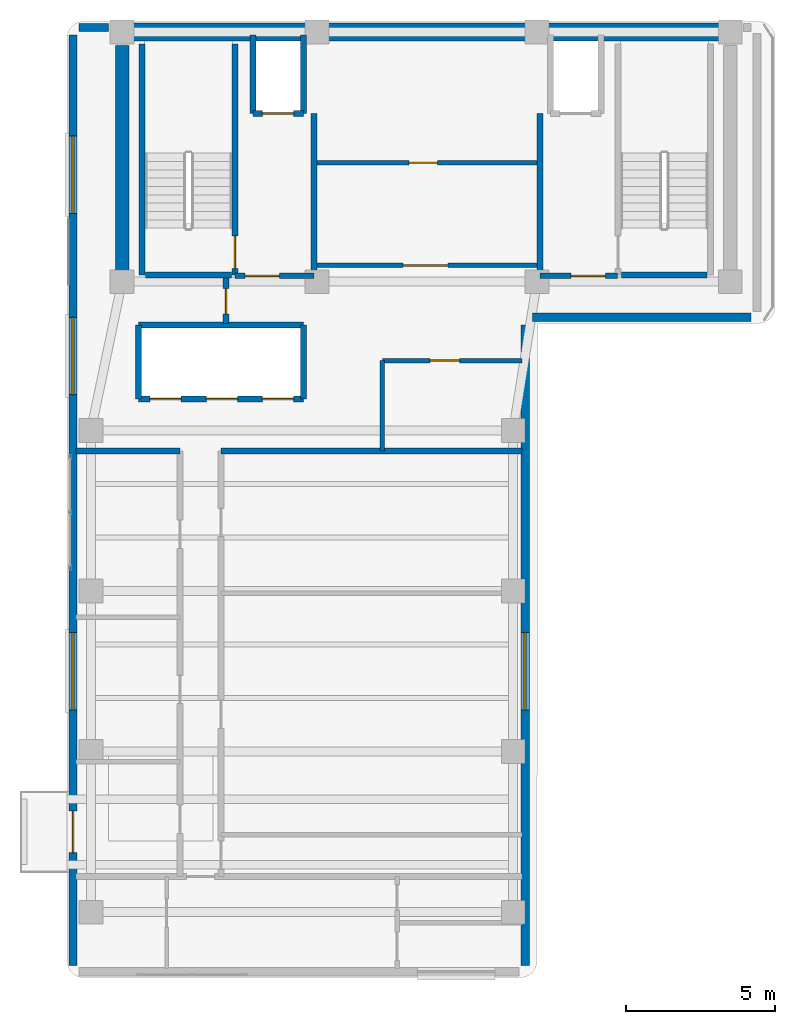
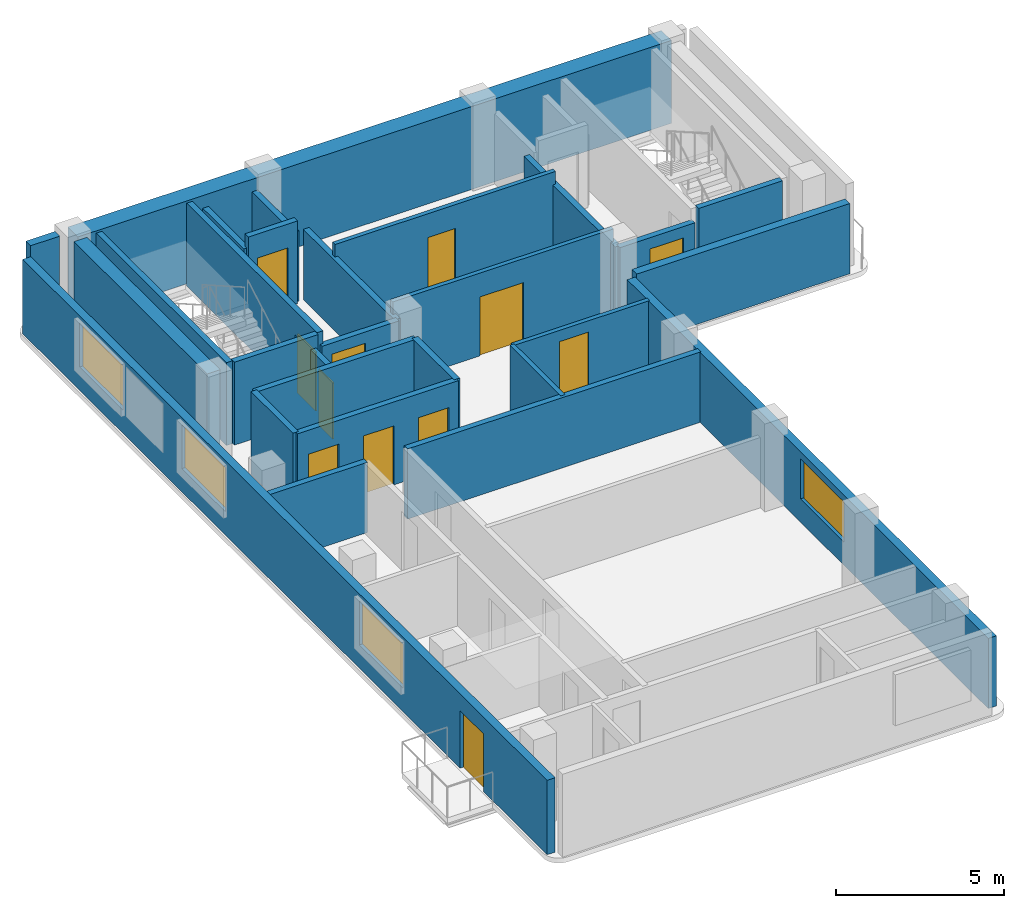
# One storey, part 8 of 11: 28 walls, 12 doors, 4 windows, 16 openings.
"""IFC4 building model written with IfcOpenShell, lengths in metres."""

from ifc_helpers import new_model, si_unit, direction, frame, frame_2d, origin, place, context, subcontext, project, spatial, rectangle, extrude, material, layer, layer_set, type_object, element, fill, save


model = new_model("IFC4")

# Units and contexts
model_context = context("Model", 3, precision=1e-05, world=origin(), true_north=direction((0.0, 1.0)))
body_context = subcontext(model_context, "Body", "Model", "MODEL_VIEW")
ifc_project = project(units=[si_unit("LENGTHUNIT", "METRE"), si_unit("AREAUNIT", "SQUARE_METRE"), si_unit("VOLUMEUNIT", "CUBIC_METRE"), si_unit("PLANEANGLEUNIT", "RADIAN"), si_unit("MASSUNIT", "GRAM", prefix="KILO")], contexts=[model_context])

# Site, building, storey
site_placement = place(None, origin())
site = spatial("IfcSite", under=ifc_project, at=site_placement, CompositionType="ELEMENT")
building_placement = place(site_placement, origin())
building = spatial("IfcBuilding", under=site, at=building_placement, Name="Kuzgunbayir Cultural Tower", CompositionType="ELEMENT")
storey_placement = place(building_placement, frame((0.0, 0.0, 244.0)))
storey = spatial("IfcBuildingStorey", under=building, at=storey_placement, Name="L72", CompositionType="ELEMENT", Elevation=244.0)

# Walls
ifc_material_1 = material(Name="Concrete C50/60", Category="concrete")
ifc_layer_1 = layer(ifc_material_1, 0.449951171875)
ifc_layer_set_1 = layer_set([ifc_layer_1], Name="Concrete C50/60")
wall_type_1 = type_object("IfcWallType", Name="WAL-CORE-450", PredefinedType="SHEAR", material=ifc_layer_set_1)
wall_1_placement = place(storey_placement, frame((6.449951171875, 33.800048828125, 0.0), z_axis=(0.0, 0.0, 1.0), x_axis=(0.0, 1.0, 0.0)))
element("IfcWall", 1, at=wall_1_placement, inside=storey, type_object=wall_type_1, Name="L72 T1 Core West Shear Wall", PredefinedType="SHEAR", context=body_context, shape_type="SweptSolid", body=[
    extrude(rectangle(XDim=7.949951171875, YDim=0.449951171875, at=frame_2d((3.97509765625, 0.0))), origin(), (0.0, 0.0, 1.0), 3.02001953125),
])
ifc_material_2 = material(Name="Concrete C60/75", Category="concrete")
ifc_layer_2 = layer(ifc_material_2, 0.60009765625)
ifc_layer_set_2 = layer_set([ifc_layer_2], Name="Concrete C60/75")
wall_type_2 = type_object("IfcWallType", Name="WAL-CORE-600", PredefinedType="SHEAR", material=ifc_layer_set_2)
wall_2_placement = place(storey_placement, frame((6.449951171875, 42.199951171875, 0.0), z_axis=(0.0, 0.0, 1.0), x_axis=(1.0, 0.0, 0.0)))
element("IfcWall", 2, at=wall_2_placement, inside=storey, type_object=wall_type_2, Name="L72 T1 Core North Shear Wall", PredefinedType="SHEAR", context=body_context, shape_type="SweptSolid", body=[
    extrude(rectangle(XDim=20.449951171875, YDim=0.60009765625, at=frame_2d((10.22509765625, 0.0))), origin(), (0.0, 0.0, 1.0), 3.02001953125),
])

# Wall, openings, door, windows
ifc_material_3 = material(Name="Anatolian Cream Limestone", Category="masonry")
ifc_layer_3 = layer(ifc_material_3, 0.280029296875)
ifc_layer_set_3 = layer_set([ifc_layer_3], Name="Anatolian Cream Limestone")
wall_type_3 = type_object("IfcWallType", Name="WAL-EXT-STONE-280", PredefinedType="STANDARD", material=ifc_layer_set_3)
wall_3_placement = place(storey_placement, frame((4.800048828125, 42.10009765625, 0.0), z_axis=(0.0, 0.0, 1.0), x_axis=(0.0, -1.0, 0.0)))
wall_3 = element("IfcWall", 3, at=wall_3_placement, inside=storey, type_object=wall_type_3, Name="L72 Wing A West Limestone Wall", PredefinedType="STANDARD", context=body_context, shape_type="SweptSolid", body=[
    extrude(rectangle(XDim=31.300048828125, YDim=0.280029296875, at=frame_2d((15.64990234375, 0.0))), origin(), (0.0, 0.0, 1.0), 2.7099609375),
])
opening_1_placement = place(wall_3_placement, frame((26.10009765625, 0.0, 0.0)))
opening_1 = element("IfcOpeningElement", 4, at=opening_1_placement, cuts=wall_3, Name="Opening BD-15", PredefinedType="OPENING", context=body_context, shape_type="SweptSolid", body=[
    extrude(rectangle(XDim=1.39990234375, YDim=2.10009765625, at=frame_2d((0.699951171875, 1.050048828125))), frame((0.0, 0.14990234375, 0.0), z_axis=(0.0, -1.0, 0.0), x_axis=(1.0, 0.0, 0.0)), (0.0, 0.0, 1.0), 0.300048828125),
])
opening_2_placement = place(wall_3_placement, frame((20.10009765625, 0.0, 0.85009765625)))
opening_2 = element("IfcOpeningElement", 5, at=opening_2_placement, cuts=wall_3, Name="Opening WK-26", PredefinedType="OPENING", context=body_context, shape_type="SweptSolid", body=[
    extrude(rectangle(XDim=2.60009765625, YDim=1.610107421875, at=frame_2d((1.300048828125, 0.80517578125))), frame((0.0, 0.14990234375, 0.0), z_axis=(0.0, -1.0, 0.0), x_axis=(1.0, 0.0, 0.0)), (0.0, 0.0, 1.0), 0.300048828125),
])
opening_3_placement = place(wall_3_placement, frame((9.5, 0.0, 0.85009765625)))
opening_3 = element("IfcOpeningElement", 6, at=opening_3_placement, cuts=wall_3, Name="Opening WK-26", PredefinedType="OPENING", context=body_context, shape_type="SweptSolid", body=[
    extrude(rectangle(XDim=2.60009765625, YDim=1.610107421875, at=frame_2d((1.300048828125, 0.80517578125))), frame((0.0, 0.14990234375, 0.0), z_axis=(0.0, -1.0, 0.0), x_axis=(1.0, 0.0, 0.0)), (0.0, 0.0, 1.0), 0.300048828125),
])
opening_4_placement = place(wall_3_placement, frame((3.39990234375, 0.0, 0.85009765625)))
opening_4 = element("IfcOpeningElement", 7, at=opening_4_placement, cuts=wall_3, Name="Opening WK-26", PredefinedType="OPENING", context=body_context, shape_type="SweptSolid", body=[
    extrude(rectangle(XDim=2.60009765625, YDim=1.610107421875, at=frame_2d((1.300048828125, 0.80517578125))), frame((0.0, 0.14990234375, 0.0), z_axis=(0.0, -1.0, 0.0), x_axis=(1.0, 0.0, 0.0)), (0.0, 0.0, 1.0), 0.300048828125),
])
ifc_material_4 = material(Name="Thermally Broken Glazed Aluminium", Category="aluminium")
door_type_1 = type_object("IfcDoorType", Name="DR-BALCONY-150", OperationType="SLIDING_TO_RIGHT", PredefinedType="DOOR", material=ifc_material_4)
door_1_placement = place(opening_1_placement, origin())
door_1 = element("IfcDoor", 8, at=door_1_placement, inside=storey, type_object=door_type_1, Name="L72 West Balcony Sliding Door BAL-L72-WA1", OperationType="SLIDING_TO_RIGHT", OverallHeight=2.10009765625, OverallWidth=1.39990234375, PredefinedType="DOOR", context=body_context, shape_type="SweptSolid", body=[
    extrude(rectangle(XDim=1.39990234375, YDim=2.10009765625, at=frame_2d((0.699951171875, 1.050048828125))), frame((0.0, 0.02490234375, 0.0), z_axis=(0.0, -1.0, 0.0), x_axis=(1.0, 0.0, 0.0)), (0.0, 0.0, 1.0), 0.050048828125),
])
fill(opening_1, door_1)
ifc_material_5 = material(Name="Solar-Control Triple Glazing", Category="glass")
window_type = type_object("IfcWindowType", Name="WIN-CROWN-26", PartitioningType="SINGLE_PANEL", PredefinedType="WINDOW", material=ifc_material_5)
window_1_placement = place(opening_2_placement, origin())
window_1 = element("IfcWindow", 9, at=window_1_placement, inside=storey, type_object=window_type, Name="L72 WAW Facade Window 2", OverallHeight=1.610107421875, OverallWidth=2.60009765625, PartitioningType="SINGLE_PANEL", PredefinedType="WINDOW", context=body_context, shape_type="SweptSolid", body=[
    extrude(rectangle(XDim=2.60009765625, YDim=1.610107421875, at=frame_2d((1.300048828125, 0.80517578125))), frame((0.0, 0.030029296875, 0.0), z_axis=(0.0, -1.0, 0.0), x_axis=(1.0, 0.0, 0.0)), (0.0, 0.0, 1.0), 0.06005859375),
])
fill(opening_2, window_1)
window_2_placement = place(opening_3_placement, origin())
window_2 = element("IfcWindow", 10, at=window_2_placement, inside=storey, type_object=window_type, Name="L72 WAW Facade Window 3", OverallHeight=1.610107421875, OverallWidth=2.60009765625, PartitioningType="SINGLE_PANEL", PredefinedType="WINDOW", context=body_context, shape_type="SweptSolid", body=[
    extrude(rectangle(XDim=2.60009765625, YDim=1.610107421875, at=frame_2d((1.300048828125, 0.80517578125))), frame((0.0, 0.030029296875, 0.0), z_axis=(0.0, -1.0, 0.0), x_axis=(1.0, 0.0, 0.0)), (0.0, 0.0, 1.0), 0.06005859375),
])
fill(opening_3, window_2)
window_3_placement = place(opening_4_placement, origin())
window_3 = element("IfcWindow", 11, at=window_3_placement, inside=storey, type_object=window_type, Name="L72 WAW Facade Window 4", OverallHeight=1.610107421875, OverallWidth=2.60009765625, PartitioningType="SINGLE_PANEL", PredefinedType="WINDOW", context=body_context, shape_type="SweptSolid", body=[
    extrude(rectangle(XDim=2.60009765625, YDim=1.610107421875, at=frame_2d((1.300048828125, 0.80517578125))), frame((0.0, 0.030029296875, 0.0), z_axis=(0.0, -1.0, 0.0), x_axis=(1.0, 0.0, 0.0)), (0.0, 0.0, 1.0), 0.06005859375),
])
fill(opening_4, window_3)

# Wall, opening, window
wall_4_placement = place(storey_placement, frame((20.0, 10.800048828125, 0.0), z_axis=(0.0, 0.0, 1.0), x_axis=(0.0, 1.0, 0.0)))
wall_4 = element("IfcWall", 12, at=wall_4_placement, inside=storey, type_object=wall_type_3, Name="L72 Wing A East Limestone Wall", PredefinedType="STANDARD", context=body_context, shape_type="SweptSolid", body=[
    extrude(rectangle(XDim=21.550048828125, YDim=0.280029296875, at=frame_2d((10.77490234375, 0.0))), origin(), (0.0, 0.0, 1.0), 2.56005859375),
])
opening_5_placement = place(wall_4_placement, frame((8.60009765625, 0.0, 0.85009765625)))
opening_5 = element("IfcOpeningElement", 13, at=opening_5_placement, cuts=wall_4, Name="Opening WK-26", PredefinedType="OPENING", context=body_context, shape_type="SweptSolid", body=[
    extrude(rectangle(XDim=2.60009765625, YDim=1.4599609375, at=frame_2d((1.300048828125, 0.72998046875))), frame((0.0, 0.14990234375, 0.0), z_axis=(0.0, -1.0, 0.0), x_axis=(1.0, 0.0, 0.0)), (0.0, 0.0, 1.0), 0.300048828125),
])
window_4_placement = place(opening_5_placement, origin())
window_4 = element("IfcWindow", 14, at=window_4_placement, inside=storey, type_object=window_type, Name="L72 WAE Facade Window 5", OverallHeight=1.4599609375, OverallWidth=2.60009765625, PartitioningType="SINGLE_PANEL", PredefinedType="WINDOW", context=body_context, shape_type="SweptSolid", body=[
    extrude(rectangle(XDim=2.60009765625, YDim=1.4599609375, at=frame_2d((1.300048828125, 0.72998046875))), frame((0.0, 0.030029296875, 0.0), z_axis=(0.0, -1.0, 0.0), x_axis=(1.0, 0.0, 0.0)), (0.0, 0.0, 1.0), 0.06005859375),
])
fill(opening_5, window_4)

# Walls
wall_5_placement = place(storey_placement, frame((6.0, 42.35009765625, 0.0), z_axis=(0.0, 0.0, 1.0), x_axis=(-1.0, 0.0, 0.0)))
element("IfcWall", 15, at=wall_5_placement, inside=storey, type_object=wall_type_3, Name="L72 Core North-West Spandrel Link", PredefinedType="STANDARD", context=body_context, shape_type="SweptSolid", body=[
    extrude(rectangle(XDim=1.0, YDim=0.280029296875, at=frame_2d((0.5, 0.0))), origin(), (0.0, 0.0, 1.0), 3.02001953125),
])
wall_6_placement = place(storey_placement, frame((20.25, 32.60009765625, 0.0), z_axis=(0.0, 0.0, 1.0), x_axis=(1.0, 0.0, 0.0)))
element("IfcWall", 16, at=wall_6_placement, inside=storey, type_object=wall_type_3, Name="L72 Core South Soffit Wall", PredefinedType="STANDARD", context=body_context, shape_type="SweptSolid", body=[
    extrude(rectangle(XDim=7.35009765625, YDim=0.280029296875, at=frame_2d((3.675048828125, 0.0))), origin(), (0.0, 0.0, 1.0), 2.56005859375),
])

# Wall, opening, door
ifc_material_6 = material(Name="Acoustic Double-Stud Drywall", Category="gypsum")
ifc_layer_4 = layer(ifc_material_6, 0.14990234375)
ifc_layer_set_4 = layer_set([ifc_layer_4], Name="Acoustic Double-Stud Drywall")
wall_type_4 = type_object("IfcWallType", Name="WAL-PART-ACOUSTIC-150", PredefinedType="PARTITIONING", material=ifc_layer_set_4)
wall_7_placement = place(storey_placement, frame((12.89990234375, 34.35009765625, 0.0), z_axis=(0.0, 0.0, 1.0), x_axis=(1.0, 0.0, 0.0)))
wall_7 = element("IfcWall", 17, at=wall_7_placement, inside=storey, type_object=wall_type_4, Name="L72 Sky Core South Wall", PredefinedType="PARTITIONING", context=body_context, shape_type="SweptSolid", body=[
    extrude(rectangle(XDim=7.60009765625, YDim=0.14990234375, at=frame_2d((3.800048828125, 0.0))), origin(), (0.0, 0.0, 1.0), 3.02001953125),
])
opening_6_placement = place(wall_7_placement, frame((3.0, 0.0, 0.0)))
opening_6 = element("IfcOpeningElement", 18, at=opening_6_placement, cuts=wall_7, Name="Opening DC-150", PredefinedType="OPENING", context=body_context, shape_type="SweptSolid", body=[
    extrude(rectangle(XDim=1.5, YDim=2.14990234375, at=frame_2d((0.75, 1.074951171875))), frame((0.0, 0.0849609375, 0.0), z_axis=(0.0, -1.0, 0.0), x_axis=(1.0, 0.0, 0.0)), (0.0, 0.0, 1.0), 0.169921875),
])
ifc_material_7 = material(Name="Fire-Rated Veneered Oak Double Leaf", Category="wood")
door_type_2 = type_object("IfcDoorType", Name="DR-CORE-150", OperationType="DOUBLE_DOOR_SINGLE_SWING", PredefinedType="DOOR", material=ifc_material_7)
door_2_placement = place(opening_6_placement, origin())
door_2 = element("IfcDoor", 19, at=door_2_placement, inside=storey, type_object=door_type_2, Name="L72 Sky Conservatory Double Door", OperationType="DOUBLE_DOOR_SINGLE_SWING", OverallHeight=2.14990234375, OverallWidth=1.5, PredefinedType="DOOR", context=body_context, shape_type="SweptSolid", body=[
    extrude(rectangle(XDim=1.5, YDim=2.14990234375, at=frame_2d((0.75, 1.074951171875))), frame((0.0, 0.02490234375, 0.0), z_axis=(0.0, -1.0, 0.0), x_axis=(1.0, 0.0, 0.0)), (0.0, 0.0, 1.0), 0.050048828125),
])
fill(opening_6, door_2)

wall_8_placement = place(storey_placement, frame((12.89990234375, 37.800048828125, 0.0), z_axis=(0.0, 0.0, 1.0), x_axis=(1.0, 0.0, 0.0)))
wall_8 = element("IfcWall", 20, at=wall_8_placement, inside=storey, type_object=wall_type_4, Name="L72 Sky Core Mid Wall", PredefinedType="PARTITIONING", context=body_context, shape_type="SweptSolid", body=[
    extrude(rectangle(XDim=7.60009765625, YDim=0.14990234375, at=frame_2d((3.800048828125, 0.0))), origin(), (0.0, 0.0, 1.0), 3.02001953125),
])
opening_7_placement = place(wall_8_placement, frame((3.199951171875, 0.0, 0.0)))
opening_7 = element("IfcOpeningElement", 21, at=opening_7_placement, cuts=wall_8, Name="Opening DC-95", PredefinedType="OPENING", context=body_context, shape_type="SweptSolid", body=[
    extrude(rectangle(XDim=0.949951171875, YDim=2.14990234375, at=frame_2d((0.47509765625, 1.074951171875))), frame((0.0, 0.0849609375, 0.0), z_axis=(0.0, -1.0, 0.0), x_axis=(1.0, 0.0, 0.0)), (0.0, 0.0, 1.0), 0.169921875),
])
ifc_material_8 = material(Name="Fire-Rated Veneered Oak Leaf", Category="wood")
door_type_3 = type_object("IfcDoorType", Name="DR-CORE-95", OperationType="NOTDEFINED", PredefinedType="DOOR", material=ifc_material_8)
door_3_placement = place(opening_7_placement, origin())
door_3 = element("IfcDoor", 22, at=door_3_placement, inside=storey, type_object=door_type_3, Name="L72 Core Archive Door", OperationType="SINGLE_SWING_LEFT", OverallHeight=2.14990234375, OverallWidth=0.949951171875, PredefinedType="DOOR", context=body_context, shape_type="SweptSolid", body=[
    extrude(rectangle(XDim=0.949951171875, YDim=2.14990234375, at=frame_2d((0.47509765625, 1.074951171875))), frame((0.0, 0.02490234375, 0.0), z_axis=(0.0, -1.0, 0.0), x_axis=(1.0, 0.0, 0.0)), (0.0, 0.0, 1.0), 0.050048828125),
])
fill(opening_7, door_3)

wall_9_placement = place(storey_placement, frame((15.199951171875, 31.14990234375, 0.0), z_axis=(0.0, 0.0, 1.0), x_axis=(1.0, 0.0, 0.0)))
wall_9 = element("IfcWall", 23, at=wall_9_placement, inside=storey, type_object=wall_type_4, Name="L72 Central Sky Salon North Wall", PredefinedType="PARTITIONING", context=body_context, shape_type="SweptSolid", body=[
    extrude(rectangle(XDim=4.699951171875, YDim=0.14990234375, at=frame_2d((2.35009765625, 0.0))), origin(), (0.0, 0.0, 1.0), 2.56005859375),
])
opening_8_placement = place(wall_9_placement, frame((1.60009765625, 0.0, 0.0)))
opening_8 = element("IfcOpeningElement", 24, at=opening_8_placement, cuts=wall_9, Name="Opening DI-100", PredefinedType="OPENING", context=body_context, shape_type="SweptSolid", body=[
    extrude(rectangle(XDim=1.0, YDim=2.14990234375, at=frame_2d((0.5, 1.074951171875))), frame((0.0, 0.0849609375, 0.0), z_axis=(0.0, -1.0, 0.0), x_axis=(1.0, 0.0, 0.0)), (0.0, 0.0, 1.0), 0.169921875),
])
ifc_material_9 = material(Name="Veneered Oak Single Leaf", Category="wood")
door_type_4 = type_object("IfcDoorType", Name="DR-INT-100", OperationType="NOTDEFINED", PredefinedType="DOOR", material=ifc_material_9)
door_4_placement = place(opening_8_placement, origin())
door_4 = element("IfcDoor", 25, at=door_4_placement, inside=storey, type_object=door_type_4, Name="L72 Central Sky Salon Door", OperationType="SINGLE_SWING_RIGHT", OverallHeight=2.14990234375, OverallWidth=1.0, PredefinedType="DOOR", context=body_context, shape_type="SweptSolid", body=[
    extrude(rectangle(XDim=1.0, YDim=2.14990234375, at=frame_2d((0.5, 1.074951171875))), frame((0.0, 0.02490234375, 0.0), z_axis=(0.0, -1.0, 0.0), x_axis=(1.0, 0.0, 0.0)), (0.0, 0.0, 1.0), 0.050048828125),
])
fill(opening_8, door_4)

# Walls
wall_10_placement = place(storey_placement, frame((15.199951171875, 28.10009765625, 0.0), z_axis=(0.0, 0.0, 1.0), x_axis=(0.0, 1.0, 0.0)))
element("IfcWall", 26, at=wall_10_placement, inside=storey, type_object=wall_type_4, Name="L72 Central Sky Salon West Wall", PredefinedType="PARTITIONING", context=body_context, shape_type="SweptSolid", body=[
    extrude(rectangle(XDim=3.0498046875, YDim=0.14990234375, at=frame_2d((1.52490234375, 0.0))), origin(), (0.0, 0.0, 1.0), 2.56005859375),
])
ifc_material_10 = material(Name="Aerated Concrete Blockwork", Category="masonry")
ifc_layer_5 = layer(ifc_material_10, 0.199951171875)
ifc_layer_set_5 = layer_set([ifc_layer_5], Name="Aerated Concrete Blockwork")
wall_type_5 = type_object("IfcWallType", Name="WAL-PART-FIRE-200", PredefinedType="PARTITIONING", material=ifc_layer_set_5)
wall_11_placement = place(storey_placement, frame((12.89990234375, 34.0, 0.0), z_axis=(0.0, 0.0, 1.0), x_axis=(0.0, 1.0, 0.0)))
element("IfcWall", 27, at=wall_11_placement, inside=storey, type_object=wall_type_5, Name="L72 FFL-1 Lobby East Fire Wall", PredefinedType="PARTITIONING", context=body_context, shape_type="SweptSolid", body=[
    extrude(rectangle(XDim=5.449951171875, YDim=0.199951171875, at=frame_2d((2.72509765625, 0.0))), origin(), (0.0, 0.0, 1.0), 2.56005859375),
])

# Wall, opening, door
wall_12_placement = place(storey_placement, frame((10.239990234375, 34.0, 0.0), z_axis=(0.0, 0.0, 1.0), x_axis=(1.0, 0.0, 0.0)))
wall_12 = element("IfcWall", 28, at=wall_12_placement, inside=storey, type_object=wall_type_5, Name="L72 FFL-1 Lobby South Fire Wall", PredefinedType="PARTITIONING", context=body_context, shape_type="SweptSolid", body=[
    extrude(rectangle(XDim=2.659912109375, YDim=0.199951171875, at=frame_2d((1.330078125, 0.0))), origin(), (0.0, 0.0, 1.0), 2.56005859375),
])
opening_9_placement = place(wall_12_placement, frame((0.35009765625, 0.0, 0.0)))
opening_9 = element("IfcOpeningElement", 29, at=opening_9_placement, cuts=wall_12, Name="Opening DR-FFL-90", PredefinedType="OPENING", context=body_context, shape_type="SweptSolid", body=[
    extrude(rectangle(XDim=1.14990234375, YDim=2.14990234375, at=frame_2d((0.574951171875, 1.074951171875))), frame((0.0, 0.10986328125, 0.0), z_axis=(0.0, -1.0, 0.0), x_axis=(1.0, 0.0, 0.0)), (0.0, 0.0, 1.0), 0.219970703125),
])
ifc_material_11 = material(Name="Steel S355J2", Category="steel")
door_type_5 = type_object("IfcDoorType", Name="DR-FFL-90", OperationType="NOTDEFINED", PredefinedType="DOOR", material=ifc_material_11)
door_5_placement = place(opening_9_placement, origin())
door_5 = element("IfcDoor", 30, at=door_5_placement, inside=storey, type_object=door_type_5, Name="L72 Firefighting Lobby 1 Door", OperationType="SINGLE_SWING_RIGHT", OverallHeight=2.14990234375, OverallWidth=1.14990234375, PredefinedType="DOOR", context=body_context, shape_type="SweptSolid", body=[
    extrude(rectangle(XDim=1.14990234375, YDim=2.14990234375, at=frame_2d((0.574951171875, 1.074951171875))), frame((0.0, 0.02490234375, 0.0), z_axis=(0.0, -1.0, 0.0), x_axis=(1.0, 0.0, 0.0)), (0.0, 0.0, 1.0), 0.050048828125),
])
fill(opening_9, door_5)

# Wall
wall_13_placement = place(storey_placement, frame((20.5, 34.0, 0.0), z_axis=(0.0, 0.0, 1.0), x_axis=(0.0, 1.0, 0.0)))
element("IfcWall", 31, at=wall_13_placement, inside=storey, type_object=wall_type_5, Name="L72 FFL-2 Lobby West Fire Wall", PredefinedType="PARTITIONING", context=body_context, shape_type="SweptSolid", body=[
    extrude(rectangle(XDim=5.449951171875, YDim=0.199951171875, at=frame_2d((2.72509765625, 0.0))), origin(), (0.0, 0.0, 1.0), 2.56005859375),
])

# Wall, opening, door
wall_14_placement = place(storey_placement, frame((20.5, 34.0, 0.0), z_axis=(0.0, 0.0, 1.0), x_axis=(1.0, 0.0, 0.0)))
wall_14 = element("IfcWall", 32, at=wall_14_placement, inside=storey, type_object=wall_type_5, Name="L72 FFL-2 Lobby South Fire Wall", PredefinedType="PARTITIONING", context=body_context, shape_type="SweptSolid", body=[
    extrude(rectangle(XDim=2.60009765625, YDim=0.199951171875, at=frame_2d((1.300048828125, 0.0))), origin(), (0.0, 0.0, 1.0), 2.56005859375),
])
opening_10_placement = place(wall_14_placement, frame((1.050048828125, 0.0, 0.0)))
opening_10 = element("IfcOpeningElement", 33, at=opening_10_placement, cuts=wall_14, Name="Opening DR-FFL-90", PredefinedType="OPENING", context=body_context, shape_type="SweptSolid", body=[
    extrude(rectangle(XDim=1.14990234375, YDim=2.14990234375, at=frame_2d((0.574951171875, 1.074951171875))), frame((0.0, 0.10986328125, 0.0), z_axis=(0.0, -1.0, 0.0), x_axis=(1.0, 0.0, 0.0)), (0.0, 0.0, 1.0), 0.219970703125),
])
door_6_placement = place(opening_10_placement, origin())
door_6 = element("IfcDoor", 34, at=door_6_placement, inside=storey, type_object=door_type_5, Name="L72 Firefighting Lobby 2 Door", OperationType="SINGLE_SWING_LEFT", OverallHeight=2.14990234375, OverallWidth=1.14990234375, PredefinedType="DOOR", context=body_context, shape_type="SweptSolid", body=[
    extrude(rectangle(XDim=1.14990234375, YDim=2.14990234375, at=frame_2d((0.574951171875, 1.074951171875))), frame((0.0, 0.02490234375, 0.0), z_axis=(0.0, -1.0, 0.0), x_axis=(1.0, 0.0, 0.0)), (0.0, 0.0, 1.0), 0.050048828125),
])
fill(opening_10, door_6)

wall_15_placement = place(storey_placement, frame((9.949951171875, 32.39990234375, 0.0), z_axis=(0.0, 0.0, 1.0), x_axis=(0.0, 1.0, 0.0)))
wall_15 = element("IfcWall", 35, at=wall_15_placement, inside=storey, type_object=wall_type_5, Name="L72 West Core Service Closet Wall", PredefinedType="PARTITIONING", context=body_context, shape_type="SweptSolid", body=[
    extrude(rectangle(XDim=1.52001953125, YDim=0.199951171875, at=frame_2d((0.760009765625, 0.0))), origin(), (0.0, 0.0, 1.0), 2.56005859375),
])
opening_11_placement = place(wall_15_placement, frame((0.320068359375, 0.0, 0.0)))
opening_11 = element("IfcOpeningElement", 36, at=opening_11_placement, cuts=wall_15, Name="Opening DR-RSR-60", PredefinedType="OPENING", context=body_context, shape_type="SweptSolid", body=[
    extrude(rectangle(XDim=0.85009765625, YDim=2.050048828125, at=frame_2d((0.425048828125, 1.02490234375))), frame((0.0, 0.10986328125, 0.0), z_axis=(0.0, -1.0, 0.0), x_axis=(1.0, 0.0, 0.0)), (0.0, 0.0, 1.0), 0.219970703125),
])
ifc_material_12 = material(Name="Steel Access Leaf", Category="steel")
door_type_6 = type_object("IfcDoorType", Name="DR-RISER-60", OperationType="NOTDEFINED", PredefinedType="DOOR", material=ifc_material_12)
door_7_placement = place(opening_11_placement, origin())
door_7 = element("IfcDoor", 37, at=door_7_placement, inside=storey, type_object=door_type_6, Name="L72 Cleaner Utility Store Door", OperationType="SINGLE_SWING_RIGHT", OverallHeight=2.050048828125, OverallWidth=0.85009765625, PredefinedType="DOOR", context=body_context, shape_type="SweptSolid", body=[
    extrude(rectangle(XDim=0.85009765625, YDim=2.050048828125, at=frame_2d((0.425048828125, 1.02490234375))), frame((0.0, 0.02490234375, 0.0), z_axis=(0.0, -1.0, 0.0), x_axis=(1.0, 0.0, 0.0)), (0.0, 0.0, 1.0), 0.050048828125),
])
fill(opening_11, door_7)

# Walls
wall_16_placement = place(storey_placement, frame((4.89990234375, 28.10009765625, 0.0), z_axis=(0.0, 0.0, 1.0), x_axis=(1.0, 0.0, 0.0)))
element("IfcWall", 38, at=wall_16_placement, inside=storey, type_object=wall_type_5, Name="L72 North West Partition", PredefinedType="PARTITIONING", context=body_context, shape_type="SweptSolid", body=[
    extrude(rectangle(XDim=3.5, YDim=0.199951171875, at=frame_2d((1.75, 0.0))), origin(), (0.0, 0.0, 1.0), 2.56005859375),
])
wall_17_placement = place(storey_placement, frame((9.780029296875, 28.10009765625, 0.0), z_axis=(0.0, 0.0, 1.0), x_axis=(1.0, 0.0, 0.0)))
element("IfcWall", 39, at=wall_17_placement, inside=storey, type_object=wall_type_5, Name="L72 North East Partition", PredefinedType="PARTITIONING", context=body_context, shape_type="SweptSolid", body=[
    extrude(rectangle(XDim=10.119873046875, YDim=0.199951171875, at=frame_2d((5.06005859375, 0.0))), origin(), (0.0, 0.0, 1.0), 2.56005859375),
])

# Wall, openings, doors
ifc_material_13 = material(Name="Concrete C40/50", Category="concrete")
ifc_layer_6 = layer(ifc_material_13, 0.199951171875)
ifc_layer_set_6 = layer_set([ifc_layer_6], Name="Concrete C40/50")
wall_type_6 = type_object("IfcWallType", Name="WAL-SHAFT-200", PredefinedType="MOVABLE", material=ifc_layer_set_6)
wall_18_placement = place(storey_placement, frame((7.0, 29.85009765625, 0.0), z_axis=(0.0, 0.0, 1.0), x_axis=(1.0, 0.0, 0.0)))
wall_18 = element("IfcWall", 40, at=wall_18_placement, inside=storey, type_object=wall_type_6, Name="L72 High-Rise Lift Shaft South Wall", PredefinedType="MOVABLE", context=body_context, shape_type="SweptSolid", body=[
    extrude(rectangle(XDim=5.550048828125, YDim=0.199951171875, at=frame_2d((2.77490234375, 0.0))), origin(), (0.0, 0.0, 1.0), 3.02001953125),
])
opening_12_placement = place(wall_18_placement, frame((0.3798828125, 0.0, 0.0)))
opening_12 = element("IfcOpeningElement", 41, at=opening_12_placement, cuts=wall_18, Name="Opening LD", PredefinedType="OPENING", context=body_context, shape_type="SweptSolid", body=[
    extrude(rectangle(XDim=1.050048828125, YDim=2.14990234375, at=frame_2d((0.52490234375, 1.074951171875))), frame((0.0, 0.10986328125, 0.0), z_axis=(0.0, -1.0, 0.0), x_axis=(1.0, 0.0, 0.0)), (0.0, 0.0, 1.0), 0.219970703125),
])
opening_13_placement = place(wall_18_placement, frame((2.280029296875, 0.0, 0.0)))
opening_13 = element("IfcOpeningElement", 42, at=opening_13_placement, cuts=wall_18, Name="Opening LD", PredefinedType="OPENING", context=body_context, shape_type="SweptSolid", body=[
    extrude(rectangle(XDim=1.050048828125, YDim=2.14990234375, at=frame_2d((0.52490234375, 1.074951171875))), frame((0.0, 0.10986328125, 0.0), z_axis=(0.0, -1.0, 0.0), x_axis=(1.0, 0.0, 0.0)), (0.0, 0.0, 1.0), 0.219970703125),
])
opening_14_placement = place(wall_18_placement, frame((4.169921875, 0.0, 0.0)))
opening_14 = element("IfcOpeningElement", 43, at=opening_14_placement, cuts=wall_18, Name="Opening LD", PredefinedType="OPENING", context=body_context, shape_type="SweptSolid", body=[
    extrude(rectangle(XDim=1.050048828125, YDim=2.14990234375, at=frame_2d((0.52490234375, 1.074951171875))), frame((0.0, 0.10986328125, 0.0), z_axis=(0.0, -1.0, 0.0), x_axis=(1.0, 0.0, 0.0)), (0.0, 0.0, 1.0), 0.219970703125),
])
ifc_material_14 = material(Name="Brushed Stainless Steel", Category="steel")
door_type_7 = type_object("IfcDoorType", Name="DR-LIFT-LANDING", OperationType="SLIDING_TO_LEFT", PredefinedType="DOOR", material=ifc_material_14)
door_8_placement = place(opening_12_placement, origin())
door_8 = element("IfcDoor", 44, at=door_8_placement, inside=storey, type_object=door_type_7, Name="L72 Lift PH-1 Landing Door", OperationType="SLIDING_TO_LEFT", OverallHeight=2.14990234375, OverallWidth=1.050048828125, PredefinedType="DOOR", context=body_context, shape_type="SweptSolid", body=[
    extrude(rectangle(XDim=1.050048828125, YDim=2.14990234375, at=frame_2d((0.52490234375, 1.074951171875))), frame((0.0, 0.02490234375, 0.0), z_axis=(0.0, -1.0, 0.0), x_axis=(1.0, 0.0, 0.0)), (0.0, 0.0, 1.0), 0.050048828125),
])
fill(opening_12, door_8)
door_9_placement = place(opening_13_placement, origin())
door_9 = element("IfcDoor", 45, at=door_9_placement, inside=storey, type_object=door_type_7, Name="L72 Lift PH-2 Landing Door", OperationType="SLIDING_TO_LEFT", OverallHeight=2.14990234375, OverallWidth=1.050048828125, PredefinedType="DOOR", context=body_context, shape_type="SweptSolid", body=[
    extrude(rectangle(XDim=1.050048828125, YDim=2.14990234375, at=frame_2d((0.52490234375, 1.074951171875))), frame((0.0, 0.02490234375, 0.0), z_axis=(0.0, -1.0, 0.0), x_axis=(1.0, 0.0, 0.0)), (0.0, 0.0, 1.0), 0.050048828125),
])
fill(opening_13, door_9)
door_10_placement = place(opening_14_placement, origin())
door_10 = element("IfcDoor", 46, at=door_10_placement, inside=storey, type_object=door_type_7, Name="L72 Lift PH-3 Landing Door", OperationType="SLIDING_TO_LEFT", OverallHeight=2.14990234375, OverallWidth=1.050048828125, PredefinedType="DOOR", context=body_context, shape_type="SweptSolid", body=[
    extrude(rectangle(XDim=1.050048828125, YDim=2.14990234375, at=frame_2d((0.52490234375, 1.074951171875))), frame((0.0, 0.02490234375, 0.0), z_axis=(0.0, -1.0, 0.0), x_axis=(1.0, 0.0, 0.0)), (0.0, 0.0, 1.0), 0.050048828125),
])
fill(opening_14, door_10)

# Walls
wall_19_placement = place(storey_placement, frame((7.0, 32.35009765625, 0.0), z_axis=(0.0, 0.0, 1.0), x_axis=(1.0, 0.0, 0.0)))
element("IfcWall", 47, at=wall_19_placement, inside=storey, type_object=wall_type_6, Name="L72 High-Rise Lift Shaft North Wall", PredefinedType="MOVABLE", context=body_context, shape_type="SweptSolid", body=[
    extrude(rectangle(XDim=5.550048828125, YDim=0.199951171875, at=frame_2d((2.77490234375, 0.0))), origin(), (0.0, 0.0, 1.0), 3.02001953125),
])
for number, where, z_axis, x_axis, name in (
    (48, (7.0, 29.85009765625, 0.0), (0.0, 0.0, 1.0), (0.0, 1.0, 0.0), "L72 High-Rise Lift Shaft West Wall"),
    (49, (12.550048828125, 29.85009765625, 0.0), (0.0, 0.0, 1.0), (0.0, 1.0, 0.0), "L72 High-Rise Lift Shaft East Wall"),
):
    element("IfcWall", number, at=place(storey_placement, frame(where, z_axis=z_axis, x_axis=x_axis)), inside=storey, type_object=wall_type_6, Name=name, PredefinedType="MOVABLE", context=body_context, shape_type="SweptSolid", body=[
        extrude(rectangle(XDim=2.5, YDim=0.199951171875, at=frame_2d((1.25, 0.0))), origin(), (0.0, 0.0, 1.0), 3.02001953125),
    ])

# Wall, opening, door
wall_20_placement = place(storey_placement, frame((10.85009765625, 39.449951171875, 0.0), z_axis=(0.0, 0.0, 1.0), x_axis=(1.0, 0.0, 0.0)))
wall_20 = element("IfcWall", 50, at=wall_20_placement, inside=storey, type_object=wall_type_6, Name="L72 FFL-1 Lift Front Wall", PredefinedType="MOVABLE", context=body_context, shape_type="SweptSolid", body=[
    extrude(rectangle(XDim=1.699951171875, YDim=0.199951171875, at=frame_2d((0.85009765625, 0.0))), origin(), (0.0, 0.0, 1.0), 3.02001953125),
])
opening_15_placement = place(wall_20_placement, frame((0.320068359375, 0.0, 0.0)))
opening_15 = element("IfcOpeningElement", 51, at=opening_15_placement, cuts=wall_20, Name="Opening LD", PredefinedType="OPENING", context=body_context, shape_type="SweptSolid", body=[
    extrude(rectangle(XDim=1.050048828125, YDim=2.14990234375, at=frame_2d((0.52490234375, 1.074951171875))), frame((0.0, 0.10986328125, 0.0), z_axis=(0.0, -1.0, 0.0), x_axis=(1.0, 0.0, 0.0)), (0.0, 0.0, 1.0), 0.219970703125),
])
door_11_placement = place(opening_15_placement, origin())
door_11 = element("IfcDoor", 52, at=door_11_placement, inside=storey, type_object=door_type_7, Name="L72 Lift FFL-1 Landing Door", OperationType="SLIDING_TO_LEFT", OverallHeight=2.14990234375, OverallWidth=1.050048828125, PredefinedType="DOOR", context=body_context, shape_type="SweptSolid", body=[
    extrude(rectangle(XDim=1.050048828125, YDim=2.14990234375, at=frame_2d((0.52490234375, 1.074951171875))), frame((0.0, 0.02490234375, 0.0), z_axis=(0.0, -1.0, 0.0), x_axis=(1.0, 0.0, 0.0)), (0.0, 0.0, 1.0), 0.050048828125),
])
fill(opening_15, door_11)

# Walls
for number, where, z_axis, x_axis, name in (
    (53, (10.85009765625, 39.449951171875, 0.0), (0.0, 0.0, 1.0), (0.0, 1.0, 0.0), "L72 FFL-1 Shaft West Wall"),
    (54, (12.550048828125, 39.449951171875, 0.0), (0.0, 0.0, 1.0), (0.0, 1.0, 0.0), "L72 FFL-1 Shaft East Wall"),
):
    element("IfcWall", number, at=place(storey_placement, frame(where, z_axis=z_axis, x_axis=x_axis)), inside=storey, type_object=wall_type_6, Name=name, PredefinedType="MOVABLE", context=body_context, shape_type="SweptSolid", body=[
        extrude(rectangle(XDim=2.650146484375, YDim=0.199951171875, at=frame_2d((1.3251953125, 0.0))), origin(), (0.0, 0.0, 1.0), 2.56005859375),
    ])
ifc_layer_7 = layer(ifc_material_13, 0.199951171875)
ifc_layer_set_7 = layer_set([ifc_layer_7], Name="Concrete C40/50")
wall_type_7 = type_object("IfcWallType", Name="WAL-STAIR-RC-200", PredefinedType="SHEAR", material=ifc_layer_set_7)
wall_21_placement = place(storey_placement, frame((7.1201171875, 34.02001953125, 0.0), z_axis=(0.0, 0.0, 1.0), x_axis=(0.0, 1.0, 0.0)))
element("IfcWall", 55, at=wall_21_placement, inside=storey, type_object=wall_type_7, Name="L72 Stair ST-1 West Structural Wall", PredefinedType="SHEAR", context=body_context, shape_type="SweptSolid", body=[
    extrude(rectangle(XDim=7.780029296875, YDim=0.199951171875, at=frame_2d((3.89013671875, 0.0))), origin(), (0.0, 0.0, 1.0), 3.02001953125),
])

# Wall, opening, door
wall_22_placement = place(storey_placement, frame((10.239990234375, 34.02001953125, 0.0), z_axis=(0.0, 0.0, 1.0), x_axis=(0.0, 1.0, 0.0)))
wall_22 = element("IfcWall", 56, at=wall_22_placement, inside=storey, type_object=wall_type_7, Name="L72 Stair ST-1 East Structural Wall", PredefinedType="SHEAR", context=body_context, shape_type="SweptSolid", body=[
    extrude(rectangle(XDim=7.780029296875, YDim=0.199951171875, at=frame_2d((3.89013671875, 0.0))), origin(), (0.0, 0.0, 1.0), 3.02001953125),
])
opening_16_placement = place(wall_22_placement, frame((0.219970703125, 0.0, 0.0)))
opening_16 = element("IfcOpeningElement", 57, at=opening_16_placement, cuts=wall_22, Name="Opening DR-STAIR-90", PredefinedType="OPENING", context=body_context, shape_type="SweptSolid", body=[
    extrude(rectangle(XDim=1.10009765625, YDim=2.14990234375, at=frame_2d((0.550048828125, 1.074951171875))), frame((0.0, 0.10986328125, 0.0), z_axis=(0.0, -1.0, 0.0), x_axis=(1.0, 0.0, 0.0)), (0.0, 0.0, 1.0), 0.219970703125),
])
door_type_8 = type_object("IfcDoorType", Name="DR-STAIR-90", OperationType="NOTDEFINED", PredefinedType="DOOR", material=ifc_material_11)
door_12_placement = place(opening_16_placement, origin())
door_12 = element("IfcDoor", 58, at=door_12_placement, inside=storey, type_object=door_type_8, Name="L72 Stair ST-1 Fire Door", OperationType="SINGLE_SWING_RIGHT", OverallHeight=2.14990234375, OverallWidth=1.10009765625, PredefinedType="DOOR", context=body_context, shape_type="SweptSolid", body=[
    extrude(rectangle(XDim=1.10009765625, YDim=2.14990234375, at=frame_2d((0.550048828125, 1.074951171875))), frame((0.0, 0.02490234375, 0.0), z_axis=(0.0, -1.0, 0.0), x_axis=(1.0, 0.0, 0.0)), (0.0, 0.0, 1.0), 0.050048828125),
])
fill(opening_16, door_12)

# Walls
for number, where, z_axis, x_axis, name in (
    (59, (7.239990234375, 34.02001953125, 0.0), (0.0, 0.0, 1.0), (1.0, 0.0, 0.0), "L72 Stair ST-1 South Structural Wall"),
    (60, (23.239990234375, 34.02001953125, 0.0), (0.0, 0.0, 1.0), (1.0, 0.0, 0.0), "L72 Stair ST-2 South Structural Wall"),
):
    element("IfcWall", number, at=place(storey_placement, frame(where, z_axis=z_axis, x_axis=x_axis)), inside=storey, type_object=wall_type_7, Name=name, PredefinedType="SHEAR", context=body_context, shape_type="SweptSolid", body=[
        extrude(rectangle(XDim=2.880126953125, YDim=0.199951171875, at=frame_2d((1.43994140625, 0.0))), origin(), (0.0, 0.0, 1.0), 3.02001953125),
    ])

save(model, "model.ifc")
